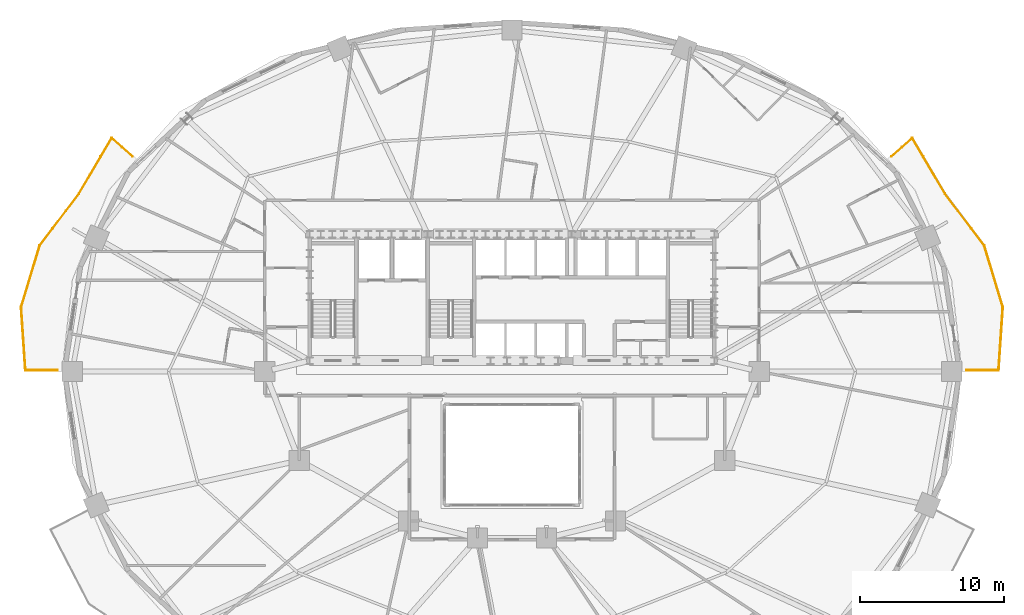
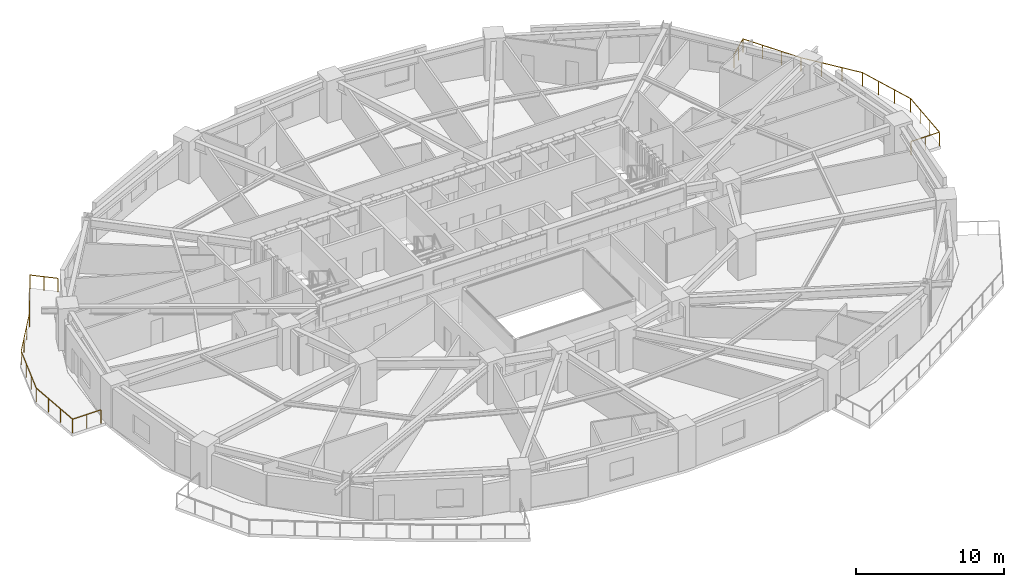
# One storey, part 17 of 17: 2 railings.
"""IFC4 building model written with IfcOpenShell, lengths in metres."""

import ifcopenshell
import ifcopenshell.guid

model = None  # the IFC model being written
_history = None  # IfcOwnerHistory: only IFC2X3 demands one
_inside = {}  # id of a spatial element -> (the spatial element, [elements in it])
_under = {}  # id of a project, library or spatial element -> (it, [spatial elements below it])
_declared = {}  # id of a project -> (the project, [libraries it declares])
_typed = {}  # id of a type object -> (the type object, [elements of that type])
_made_of = {}  # id of a material, layer set ... -> (it, [elements and type objects made of it])


def new_model(schema):
    """Start an empty IFC model of exactly this schema.

    Asked for "IFC4X3", IfcOpenShell would pick the latest addendum, in which some entities
    have other attributes; the version numbers below select the first issue.
    IFC2X3 requires an IfcOwnerHistory on every rooted entity: one is made here for all.
    """
    global model, _history
    if schema == "IFC4X3":
        model = ifcopenshell.file(schema_version=(4, 3, 0, 0))
    else:
        model = ifcopenshell.file(schema=schema)
    _inside.clear()
    _under.clear()
    _declared.clear()
    _typed.clear()
    _made_of.clear()
    _history = None
    if model.schema == "IFC2X3":
        org = make("IfcOrganization", Name="unknown")
        user = make(
            "IfcPersonAndOrganization",
            ThePerson=make("IfcPerson", FamilyName="unknown"),
            TheOrganization=org,
        )
        app = make(
            "IfcApplication",
            ApplicationDeveloper=org,
            Version="unknown",
            ApplicationFullName="unknown",
            ApplicationIdentifier="unknown",
        )
        _history = make(
            "IfcOwnerHistory",
            OwningUser=user,
            OwningApplication=app,
            ChangeAction="ADDED",
            CreationDate=0,
        )
    return model


def make(cls, **values):
    """One entity of the class cls with the attributes given. An attribute that is None is left unset."""
    return model.create_entity(
        cls, **{name: value for name, value in values.items() if value is not None}
    )


def rooted(cls, **values):
    """An entity with a GlobalId (a new one), such as an element, a storey or a relation."""
    return make(cls, GlobalId=ifcopenshell.guid.new(), OwnerHistory=_history, **values)


def si_unit(unit_type, name, prefix=None):
    """IfcSIUnit, for example si_unit("LENGTHUNIT", "METRE", prefix="MILLI")."""
    return make("IfcSIUnit", UnitType=unit_type, Prefix=prefix, Name=name)


def assignment(units):
    """IfcUnitAssignment: the units of a project."""
    return None if units is None else make("IfcUnitAssignment", Units=units)


def point(xyz):
    """IfcCartesianPoint."""
    return None if xyz is None else make("IfcCartesianPoint", Coordinates=xyz)


def direction(xyz):
    """IfcDirection."""
    return None if xyz is None else make("IfcDirection", DirectionRatios=xyz)


def frame(location, z_axis=None, x_axis=None):
    """IfcAxis2Placement3D, a coordinate frame: its origin and axes. An axis left out is left unset."""
    return make(
        "IfcAxis2Placement3D",
        Location=point(location),
        Axis=direction(z_axis),
        RefDirection=direction(x_axis),
    )


def frame_2d(location, x_axis=None):
    """IfcAxis2Placement2D, a coordinate frame in the plane: its origin and x axis."""
    return make(
        "IfcAxis2Placement2D", Location=point(location), RefDirection=direction(x_axis)
    )


def origin():
    """The frame at (0, 0, 0) with its axes left unset."""
    return frame((0.0, 0.0, 0.0))


def origin_2d():
    """The frame at (0, 0) in the plane with its x axis left unset."""
    return frame_2d((0.0, 0.0))


def place(relative_to, where):
    """IfcLocalPlacement: puts the frame where relative to a parent placement (None: the world)."""
    return make(
        "IfcLocalPlacement", PlacementRelTo=relative_to, RelativePlacement=where
    )


def context(
    kind, dimensions, precision=None, world=None, true_north=None, identifier=None
):
    """IfcGeometricRepresentationContext, for example the 3D "Model" context."""
    return make(
        "IfcGeometricRepresentationContext",
        ContextIdentifier=identifier,
        ContextType=kind,
        CoordinateSpaceDimension=dimensions,
        Precision=precision,
        WorldCoordinateSystem=world,
        TrueNorth=true_north,
    )


def subcontext(parent, identifier, kind, view, scale=None):
    """IfcGeometricRepresentationSubContext, for example "Body" below "Model"."""
    return make(
        "IfcGeometricRepresentationSubContext",
        ContextIdentifier=identifier,
        ContextType=kind,
        ParentContext=parent,
        TargetScale=scale,
        TargetView=view,
    )


def project(units=None, contexts=None):
    """IfcProject with its units and contexts."""
    return rooted(
        "IfcProject",
        Name="project",
        RepresentationContexts=contexts,
        UnitsInContext=assignment(units),
    )


def spatial(cls, under=None, at=None, **own):
    """A site, building, storey or space (cls), placed at a placement, below another one or the project."""
    s = rooted(cls, ObjectPlacement=at, **own)
    if under is not None:
        _under.setdefault(under.id(), (under, []))[1].append(s)
    return s


def profile(cls, at=None, kind="AREA", **sizes):
    """A parametric profile (cls). Its sizes go by their IFC names, for example OverallWidth=200.0."""
    return make(cls, ProfileType=kind, Position=at, **sizes)


def rectangle(**sizes):
    """IfcRectangleProfileDef."""
    return profile("IfcRectangleProfileDef", **sizes)


def extrude(swept, where, along, depth):
    """IfcExtrudedAreaSolid: the profile swept, set in the frame where, extruded along a direction by depth."""
    return make(
        "IfcExtrudedAreaSolid",
        SweptArea=swept,
        Position=where,
        ExtrudedDirection=direction(along),
        Depth=depth,
    )


def shape(context_of_items, identifier, shape_type, items):
    """IfcShapeRepresentation: the items that make up one representation, for example the "Body"."""
    return make(
        "IfcShapeRepresentation",
        ContextOfItems=context_of_items,
        RepresentationIdentifier=identifier,
        RepresentationType=shape_type,
        Items=items,
    )


def material(Name=None, Category=None):
    """IfcMaterial."""
    return make("IfcMaterial", Name=Name, Category=Category)


def made_of(thing, what):
    """Note that an element or type object is made of a material, layer set ...; save() writes the relation."""
    if what is not None:
        _made_of.setdefault(what.id(), (what, []))[1].append(thing)
    return thing


def type_object(cls, material=None, **own):
    """A type object (cls), such as IfcWallType, which elements share."""
    return made_of(rooted(cls, **own), material)


def element(
    cls,
    number,
    at=None,
    inside=None,
    cuts=None,
    type_object=None,
    material=None,
    context=None,
    identifier="Body",
    shape_type=None,
    held_by="IfcProductDefinitionShape",
    body=None,
    shapes=None,
    **own,
):
    """One element of the class cls, such as IfcWall. Its Tag is "e" and its number.

    at: its placement. inside: the storey or other place that contains it. cuts: it is an
    opening in that element (IfcRelVoidsElement). A single representation is given by context,
    identifier, shape_type and body (its items); several are given by shapes. held_by: the class
    of the entity that holds the representations. save() writes the other relations.
    """
    e = rooted(cls, Tag="e%d" % number, ObjectPlacement=at, **own)
    if body is not None:
        shapes = [shape(context, identifier, shape_type, body)]
    if shapes is not None:
        e.Representation = make(held_by, Representations=shapes)
    if inside is not None:
        _inside.setdefault(inside.id(), (inside, []))[1].append(e)
    if cuts is not None:
        rooted(
            "IfcRelVoidsElement", RelatingBuildingElement=cuts, RelatedOpeningElement=e
        )
    if type_object is not None:
        _typed.setdefault(type_object.id(), (type_object, []))[1].append(e)
    return made_of(e, material)


def aggregate(whole, parts):
    """IfcRelAggregates: a whole, such as a stair, and the parts it consists of."""
    return rooted("IfcRelAggregates", RelatingObject=whole, RelatedObjects=parts)


def save(model, path):
    """Write the relations noted so far, then the file.

    IfcRelAggregates (storeys below a building ...), IfcRelContainedInSpatialStructure (elements
    in a storey), IfcRelDefinesByType, IfcRelAssociatesMaterial and IfcRelDeclares: one each for
    every whole, place, type object, material and project.
    """
    for whole, parts in _under.values():
        aggregate(whole, parts)
    for where, things in _inside.values():
        rooted(
            "IfcRelContainedInSpatialStructure",
            RelatedElements=things,
            RelatingStructure=where,
        )
    for kind, things in _typed.values():
        rooted("IfcRelDefinesByType", RelatedObjects=things, RelatingType=kind)
    for what, things in _made_of.values():
        rooted("IfcRelAssociatesMaterial", RelatedObjects=things, RelatingMaterial=what)
    for by, libraries in _declared.values():
        rooted("IfcRelDeclares", RelatingContext=by, RelatedDefinitions=libraries)
    model.write(path)


model = new_model("IFC4")

# Units and contexts
model_context = context("Model", 3, precision=1e-05, world=origin(), true_north=direction((0.0, 1.0)))
body_context = subcontext(model_context, "Body", "Model", "MODEL_VIEW")
ifc_project = project(units=[si_unit("LENGTHUNIT", "METRE"), si_unit("AREAUNIT", "SQUARE_METRE"), si_unit("VOLUMEUNIT", "CUBIC_METRE"), si_unit("PLANEANGLEUNIT", "RADIAN"), si_unit("MASSUNIT", "GRAM", prefix="KILO")], contexts=[model_context])

# Site, building, storey
site_placement = place(None, origin())
site = spatial("IfcSite", under=ifc_project, at=site_placement, CompositionType="ELEMENT")
building_placement = place(site_placement, origin())
building = spatial("IfcBuilding", under=site, at=building_placement, Name="Haldorwick Loom Tower", CompositionType="ELEMENT")
storey_placement = place(building_placement, frame((0.0, 0.0, 58.5)))
storey = spatial("IfcBuildingStorey", under=building, at=storey_placement, Name="L15", CompositionType="ELEMENT", Elevation=58.5)

# Railings
ifc_material = material(Name="Galvanized Steel CSA G40.21 350W", Category="steel")
railing_type = type_object("IfcRailingType", Name="ARC-RLG-BAL115", PredefinedType="BALUSTRADE", material=ifc_material)
railing_1_placement = place(storey_placement, frame((4.36083984375, 26.080078125, 0.0)))
element("IfcRailing", 1, at=railing_1_placement, inside=storey, type_object=railing_type, Name="L15 Outdoor Terrace Guardrail SLB-L15-BAL_WNW-1", PredefinedType="BALUSTRADE", context=body_context, shape_type="SweptSolid", body=[
    extrude(rectangle(XDim=0.048095703125, YDim=0.048095703125, at=origin_2d()), frame((0.0, 0.0, 1.1259765625), z_axis=(-1.0, 0.0, 0.0), x_axis=(0.0, -1.0, 0.0)), (0.0, 0.0, 1.0), 2.212158203125),
    extrude(rectangle(XDim=0.048095703125, YDim=0.048095703125, at=origin_2d()), frame((-2.212158203125, 0.0, 1.1259765625), z_axis=(-0.067298366043, 0.997732895082, 0.0), x_axis=(-0.997732895082, -0.067298366043, 0.0)), (0.0, 0.0, 1.0), 4.40771484375),
    extrude(rectangle(XDim=0.048095703125, YDim=0.048095703125, at=origin_2d()), frame((-2.5087890625, 4.397705078125, 1.1259765625), z_axis=(0.289325524073, 0.95723076691, 0.0), x_axis=(-0.95723076691, 0.289325524073, 0.0)), (0.0, 0.0, 1.0), 4.47216796875),
    extrude(rectangle(XDim=0.048095703125, YDim=0.048095703125, at=origin_2d()), frame((-1.21484375, 8.6787109375, 1.1259765625), z_axis=(0.603194033611, 0.797594482062, 0.0), x_axis=(-0.797594482062, 0.603194033611, 0.0)), (0.0, 0.0, 1.0), 4.506103515625),
    extrude(rectangle(XDim=0.048095703125, YDim=0.048095703125, at=origin_2d()), frame((1.503173828125, 12.272705078125, 1.1259765625), z_axis=(0.529998940003, 0.847998304005, 0.0), x_axis=(-0.847998304005, 0.529998940003, 0.0)), (0.0, 0.0, 1.0), 0.00927734375),
    extrude(rectangle(XDim=0.048095703125, YDim=0.048095703125, at=origin_2d()), frame((1.508056640625, 12.280517578125, 1.1259765625), z_axis=(0.507207258326, 0.861824110304, 0.0), x_axis=(-0.861824110304, 0.507207258326, 0.0)), (0.0, 0.0, 1.0), 4.50390625),
    extrude(rectangle(XDim=0.048095703125, YDim=0.048095703125, at=origin_2d()), frame((3.79248046875, 16.162109375, 1.1259765625), z_axis=(0.746009254352, -0.66593557678, 0.0), x_axis=(0.66593557678, 0.746009254352, 0.0)), (0.0, 0.0, 1.0), 1.93603515625),
    extrude(rectangle(XDim=0.0419921875, YDim=0.0419921875, at=origin_2d()), origin(), (0.0, 0.0, 1.0), 1.101806640625),
    extrude(rectangle(XDim=0.0419921875, YDim=0.0419921875, at=origin_2d()), frame((-1.10595703125, 0.0, 0.0)), (0.0, 0.0, 1.0), 1.101806640625),
    extrude(rectangle(XDim=0.0419921875, YDim=0.0419921875, at=origin_2d()), frame((-2.212158203125, 0.0, 0.0)), (0.0, 0.0, 1.0), 1.101806640625),
    extrude(rectangle(XDim=0.0419921875, YDim=0.0419921875, at=origin_2d()), frame((-2.31103515625, 1.4658203125, 0.0)), (0.0, 0.0, 1.0), 1.101806640625),
    extrude(rectangle(XDim=0.0419921875, YDim=0.0419921875, at=origin_2d()), frame((-2.409912109375, 2.931884765625, 0.0)), (0.0, 0.0, 1.0), 1.101806640625),
    extrude(rectangle(XDim=0.0419921875, YDim=0.0419921875, at=origin_2d()), frame((-2.5087890625, 4.397705078125, 0.0)), (0.0, 0.0, 1.0), 1.101806640625),
    extrude(rectangle(XDim=0.0419921875, YDim=0.0419921875, at=origin_2d()), frame((-2.077392578125, 5.82470703125, 0.0)), (0.0, 0.0, 1.0), 1.101806640625),
    extrude(rectangle(XDim=0.0419921875, YDim=0.0419921875, at=origin_2d()), frame((-1.646240234375, 7.251708984375, 0.0)), (0.0, 0.0, 1.0), 1.101806640625),
    extrude(rectangle(XDim=0.0419921875, YDim=0.0419921875, at=origin_2d()), frame((-1.21484375, 8.6787109375, 0.0)), (0.0, 0.0, 1.0), 1.101806640625),
    extrude(rectangle(XDim=0.0419921875, YDim=0.0419921875, at=origin_2d()), frame((-0.308837890625, 9.876708984375, 0.0)), (0.0, 0.0, 1.0), 1.101806640625),
    extrude(rectangle(XDim=0.0419921875, YDim=0.0419921875, at=origin_2d()), frame((0.59716796875, 11.07470703125, 0.0)), (0.0, 0.0, 1.0), 1.101806640625),
    extrude(rectangle(XDim=0.0419921875, YDim=0.0419921875, at=origin_2d()), frame((1.503173828125, 12.272705078125, 0.0)), (0.0, 0.0, 1.0), 1.101806640625),
    extrude(rectangle(XDim=0.0419921875, YDim=0.0419921875, at=origin_2d()), frame((2.26953125, 13.574462890625, 0.0)), (0.0, 0.0, 1.0), 1.101806640625),
    extrude(rectangle(XDim=0.0419921875, YDim=0.0419921875, at=origin_2d()), frame((3.031005859375, 14.8681640625, 0.0)), (0.0, 0.0, 1.0), 1.101806640625),
    extrude(rectangle(XDim=0.0419921875, YDim=0.0419921875, at=origin_2d()), frame((3.79248046875, 16.162109375, 0.0)), (0.0, 0.0, 1.0), 1.101806640625),
    extrude(rectangle(XDim=0.0419921875, YDim=0.0419921875, at=origin_2d()), frame((4.5146484375, 15.517578125, 0.0)), (0.0, 0.0, 1.0), 1.101806640625),
    extrude(rectangle(XDim=0.0419921875, YDim=0.0419921875, at=origin_2d()), frame((5.23681640625, 14.872802734375, 0.0)), (0.0, 0.0, 1.0), 1.101806640625),
])
railing_2_placement = place(storey_placement, frame((62.40234375, 40.952880859375, 0.0)))
element("IfcRailing", 2, at=railing_2_placement, inside=storey, type_object=railing_type, Name="L15 Outdoor Terrace Guardrail SLB-L15-BAL_ENE-1", PredefinedType="BALUSTRADE", context=body_context, shape_type="SweptSolid", body=[
    extrude(rectangle(XDim=0.048095703125, YDim=0.048095703125, at=origin_2d()), frame((0.0, 0.0, 1.1259765625), z_axis=(0.746009254352, 0.66593557678, 0.0), x_axis=(-0.66593557678, 0.746009254352, 0.0)), (0.0, 0.0, 1.0), 1.93603515625),
    extrude(rectangle(XDim=0.048095703125, YDim=0.048095703125, at=origin_2d()), frame((1.4443359375, 1.289306640625, 1.1259765625), z_axis=(0.507207258326, -0.861824110304, 0.0), x_axis=(0.861824110304, 0.507207258326, 0.0)), (0.0, 0.0, 1.0), 4.50390625),
    extrude(rectangle(XDim=0.048095703125, YDim=0.048095703125, at=origin_2d()), frame((3.728759765625, -2.59228515625, 1.1259765625), z_axis=(0.529998940003, -0.847998304005, 0.0), x_axis=(0.847998304005, 0.529998940003, 0.0)), (0.0, 0.0, 1.0), 0.00927734375),
    extrude(rectangle(XDim=0.048095703125, YDim=0.048095703125, at=origin_2d()), frame((3.733642578125, -2.60009765625, 1.1259765625), z_axis=(0.603194033611, -0.797594482062, 0.0), x_axis=(0.797594482062, 0.603194033611, 0.0)), (0.0, 0.0, 1.0), 4.506103515625),
    extrude(rectangle(XDim=0.048095703125, YDim=0.048095703125, at=origin_2d()), frame((6.45166015625, -6.194091796875, 1.1259765625), z_axis=(0.289325524073, -0.95723076691, 0.0), x_axis=(0.95723076691, 0.289325524073, 0.0)), (0.0, 0.0, 1.0), 4.47216796875),
    extrude(rectangle(XDim=0.048095703125, YDim=0.048095703125, at=origin_2d()), frame((7.74560546875, -10.47509765625, 1.1259765625), z_axis=(-0.067298366043, -0.997732895082, 0.0), x_axis=(0.997732895082, -0.067298366043, 0.0)), (0.0, 0.0, 1.0), 4.40771484375),
    extrude(rectangle(XDim=0.048095703125, YDim=0.048095703125, at=origin_2d()), frame((7.448974609375, -14.872802734375, 1.1259765625), z_axis=(-1.0, 0.0, 0.0), x_axis=(0.0, -1.0, 0.0)), (0.0, 0.0, 1.0), 2.212158203125),
    extrude(rectangle(XDim=0.0419921875, YDim=0.0419921875, at=origin_2d()), origin(), (0.0, 0.0, 1.0), 1.101806640625),
    extrude(rectangle(XDim=0.0419921875, YDim=0.0419921875, at=origin_2d()), frame((0.72216796875, 0.64453125, 0.0)), (0.0, 0.0, 1.0), 1.101806640625),
    extrude(rectangle(XDim=0.0419921875, YDim=0.0419921875, at=origin_2d()), frame((1.4443359375, 1.289306640625, 0.0)), (0.0, 0.0, 1.0), 1.101806640625),
    extrude(rectangle(XDim=0.0419921875, YDim=0.0419921875, at=origin_2d()), frame((2.205810546875, -0.004638671875, 0.0)), (0.0, 0.0, 1.0), 1.101806640625),
    extrude(rectangle(XDim=0.0419921875, YDim=0.0419921875, at=origin_2d()), frame((2.96728515625, -1.29833984375, 0.0)), (0.0, 0.0, 1.0), 1.101806640625),
    extrude(rectangle(XDim=0.0419921875, YDim=0.0419921875, at=origin_2d()), frame((3.728759765625, -2.59228515625, 0.0)), (0.0, 0.0, 1.0), 1.101806640625),
    extrude(rectangle(XDim=0.0419921875, YDim=0.0419921875, at=origin_2d()), frame((4.6396484375, -3.798095703125, 0.0)), (0.0, 0.0, 1.0), 1.101806640625),
    extrude(rectangle(XDim=0.0419921875, YDim=0.0419921875, at=origin_2d()), frame((5.545654296875, -4.99609375, 0.0)), (0.0, 0.0, 1.0), 1.101806640625),
    extrude(rectangle(XDim=0.0419921875, YDim=0.0419921875, at=origin_2d()), frame((6.45166015625, -6.194091796875, 0.0)), (0.0, 0.0, 1.0), 1.101806640625),
    extrude(rectangle(XDim=0.0419921875, YDim=0.0419921875, at=origin_2d()), frame((6.883056640625, -7.62109375, 0.0)), (0.0, 0.0, 1.0), 1.101806640625),
    extrude(rectangle(XDim=0.0419921875, YDim=0.0419921875, at=origin_2d()), frame((7.314208984375, -9.048095703125, 0.0)), (0.0, 0.0, 1.0), 1.101806640625),
    extrude(rectangle(XDim=0.0419921875, YDim=0.0419921875, at=origin_2d()), frame((7.74560546875, -10.47509765625, 0.0)), (0.0, 0.0, 1.0), 1.101806640625),
    extrude(rectangle(XDim=0.0419921875, YDim=0.0419921875, at=origin_2d()), frame((7.646728515625, -11.94091796875, 0.0)), (0.0, 0.0, 1.0), 1.101806640625),
    extrude(rectangle(XDim=0.0419921875, YDim=0.0419921875, at=origin_2d()), frame((7.5478515625, -13.406982421875, 0.0)), (0.0, 0.0, 1.0), 1.101806640625),
    extrude(rectangle(XDim=0.0419921875, YDim=0.0419921875, at=origin_2d()), frame((7.448974609375, -14.872802734375, 0.0)), (0.0, 0.0, 1.0), 1.101806640625),
    extrude(rectangle(XDim=0.0419921875, YDim=0.0419921875, at=origin_2d()), frame((6.3427734375, -14.872802734375, 0.0)), (0.0, 0.0, 1.0), 1.101806640625),
    extrude(rectangle(XDim=0.0419921875, YDim=0.0419921875, at=origin_2d()), frame((5.23681640625, -14.872802734375, 0.0)), (0.0, 0.0, 1.0), 1.101806640625),
])

save(model, "model.ifc")
